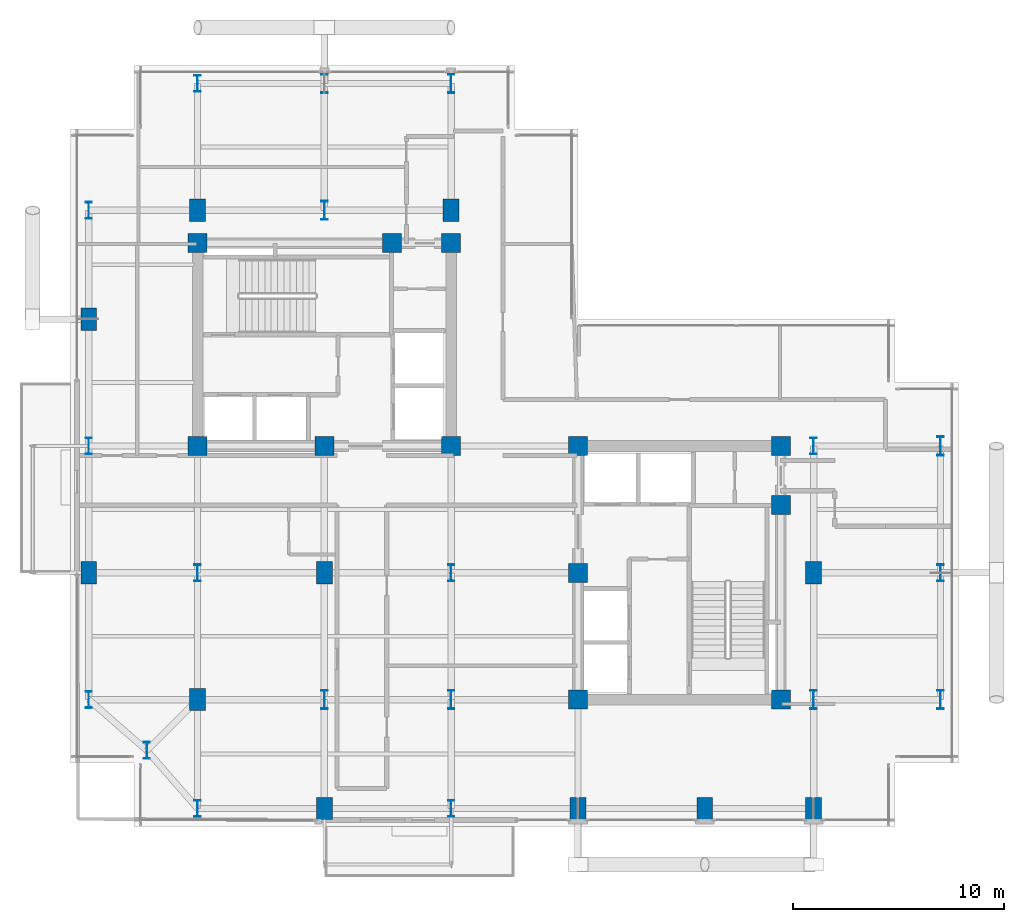
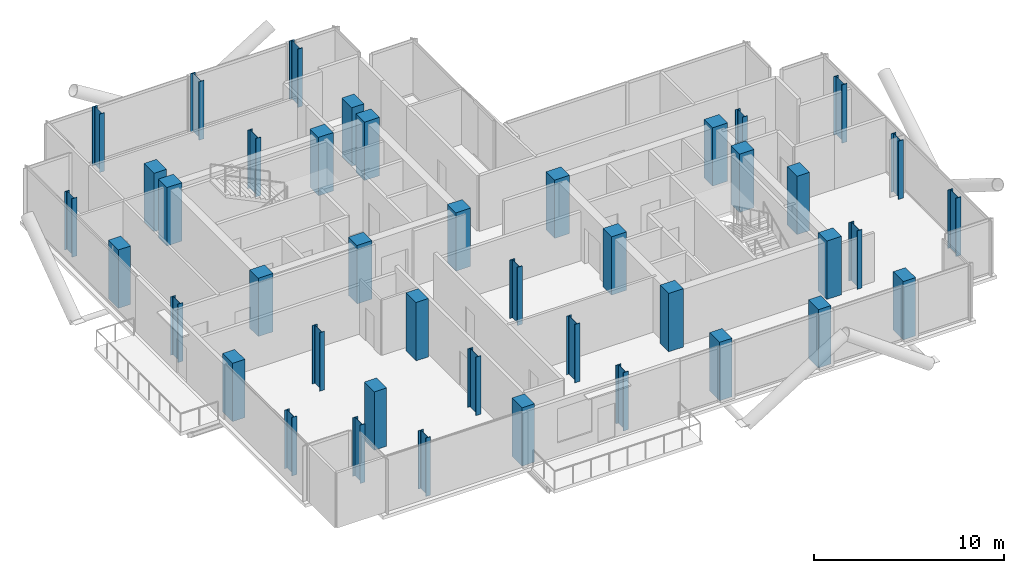
# One storey, part 1 of 21: 42 columns.
"""IFC4 building model written with IfcOpenShell, lengths in metres."""

from ifc_helpers import new_model, si_unit, direction, frame, origin, origin_2d, place, context, subcontext, project, spatial, rectangle, i_section, extrude, material, material_profile, profile_set, type_object, element, save


model = new_model("IFC4")

# Units and contexts
model_context = context("Model", 3, precision=1e-05, world=origin(), true_north=direction((0.0, 1.0)))
body_context = subcontext(model_context, "Body", "Model", "MODEL_VIEW")
ifc_project = project(units=[si_unit("LENGTHUNIT", "METRE"), si_unit("AREAUNIT", "SQUARE_METRE"), si_unit("VOLUMEUNIT", "CUBIC_METRE"), si_unit("PLANEANGLEUNIT", "RADIAN"), si_unit("MASSUNIT", "GRAM", prefix="KILO"), si_unit("THERMODYNAMICTEMPERATUREUNIT", "KELVIN"), si_unit("POWERUNIT", "WATT")], contexts=[model_context])

# Site, building, storey
site_placement = place(None, origin())
site = spatial("IfcSite", under=ifc_project, at=site_placement, CompositionType="ELEMENT")
building_placement = place(site_placement, origin())
building = spatial("IfcBuilding", under=site, at=building_placement, Name="Svarakhadi Broadcast Tower", CompositionType="ELEMENT")
storey_placement = place(building_placement, frame((0.0, 0.0, 223.64990234375)))
storey = spatial("IfcBuildingStorey", under=building, at=storey_placement, Name="L55", CompositionType="ELEMENT", Elevation=223.64990234375)

# Columns
ifc_material_1 = material(Name="Concrete C50/60 (IS 456 M60)", Category="concrete")
ifc_material_profile_1 = material_profile(ifc_material_1, rectangle(XDim=0.75, YDim=1.050048828125, at=origin_2d()), Name="RC 750x1050")
ifc_profile_set_1 = profile_set([ifc_material_profile_1], Name="Concrete C50/60 (IS 456 M60)")
column_type_1 = type_object("IfcColumnType", Name="Col_RC750", PredefinedType="COLUMN", material=ifc_profile_set_1)
for number, where, z_axis, x_axis, name in (
    (1, (0.85009765625, 12.0, 0.0), (0.0, 0.0, 1.0), (1.0, 0.0, 0.0), "L55 Column G04"),
    (2, (0.85009765625, 24.0, 0.0), (0.0, 0.0, 1.0), (1.0, 0.0, 0.0), "L55 Column G06"),
    (3, (6.0, 6.0, 0.0), (0.0, 0.0, 1.0), (1.0, 0.0, 0.0), "L55 Column G12"),
    (4, (6.0, 29.14990234375, 0.0), (0.0, 0.0, 1.0), (1.0, 0.0, 0.0), "L55 Column G14"),
    (5, (12.0, 0.85009765625, 0.0), (0.0, 0.0, 1.0), (1.0, 0.0, 0.0), "L55 Column G18"),
    (6, (12.0, 12.0, 0.0), (0.0, 0.0, 1.0), (1.0, 0.0, 0.0), "L55 Column G20"),
    (7, (18.0, 29.14990234375, 0.0), (0.0, 0.0, 1.0), (1.0, 0.0, 0.0), "L55 Column G28"),
    (8, (24.0, 0.85009765625, 0.0), (0.0, 0.0, 1.0), (1.0, 0.0, 0.0), "L55 Column G32"),
    (9, (30.0, 0.85009765625, 0.0), (0.0, 0.0, 1.0), (1.0, 0.0, 0.0), "L55 Column G36"),
    (10, (35.14990234375, 0.85009765625, 0.0), (0.0, 0.0, 1.0), (1.0, 0.0, 0.0), "L55 Column G38"),
    (11, (35.14990234375, 12.0, 0.0), (0.0, 0.0, 1.0), (1.0, 0.0, 0.0), "L55 Column G40"),
):
    element("IfcColumn", number, at=place(storey_placement, frame(where, z_axis=z_axis, x_axis=x_axis)), inside=storey, type_object=column_type_1, Name=name, PredefinedType="COLUMN", context=body_context, shape_type="SweptSolid", body=[
        extrude(rectangle(XDim=0.75, YDim=1.050048828125, at=origin_2d()), origin(), (0.0, 0.0, 1.0), 3.75),
    ])
ifc_material_profile_2 = material_profile(ifc_material_1, rectangle(XDim=0.89990234375, YDim=0.89990234375, at=origin_2d()), Name="RC 900x900")
ifc_profile_set_2 = profile_set([ifc_material_profile_2], Name="Concrete C50/60 (IS 456 M60)")
column_type_2 = type_object("IfcColumnType", Name="Col_RC900", PredefinedType="COLUMN", material=ifc_profile_set_2)
for number, where, z_axis, x_axis, name in (
    (12, (6.0, 18.0, 0.0), (0.0, 0.0, 1.0), (1.0, 0.0, 0.0), "L55 Column CW1"),
    (13, (12.0, 18.0, 0.0), (0.0, 0.0, 1.0), (1.0, 0.0, 0.0), "L55 Column CW2"),
    (14, (18.0, 18.0, 0.0), (0.0, 0.0, 1.0), (1.0, 0.0, 0.0), "L55 Column CW3"),
    (15, (6.0, 27.60009765625, 0.0), (0.0, 0.0, 1.0), (1.0, 0.0, 0.0), "L55 Column CW4"),
    (16, (15.199951171875, 27.60009765625, 0.0), (0.0, 0.0, 1.0), (1.0, 0.0, 0.0), "L55 Column CW5"),
    (17, (18.0, 27.60009765625, 0.0), (0.0, 0.0, 1.0), (1.0, 0.0, 0.0), "L55 Column CW6"),
    (18, (24.0, 6.0, 0.0), (0.0, 0.0, 1.0), (1.0, 0.0, 0.0), "L55 Column CE1"),
    (19, (24.0, 12.0, 0.0), (0.0, 0.0, 1.0), (1.0, 0.0, 0.0), "L55 Column CE2"),
    (20, (24.0, 18.0, 0.0), (0.0, 0.0, 1.0), (1.0, 0.0, 0.0), "L55 Column CE3"),
    (21, (33.60009765625, 6.0, 0.0), (0.0, 0.0, 1.0), (1.0, 0.0, 0.0), "L55 Column CE4"),
    (22, (33.60009765625, 15.199951171875, 0.0), (0.0, 0.0, 1.0), (1.0, 0.0, 0.0), "L55 Column CE5"),
    (23, (33.60009765625, 18.0, 0.0), (0.0, 0.0, 1.0), (1.0, 0.0, 0.0), "L55 Column CE6"),
):
    element("IfcColumn", number, at=place(storey_placement, frame(where, z_axis=z_axis, x_axis=x_axis)), inside=storey, type_object=column_type_2, Name=name, PredefinedType="COLUMN", context=body_context, shape_type="SweptSolid", body=[
        extrude(rectangle(XDim=0.89990234375, YDim=0.89990234375, at=origin_2d()), origin(), (0.0, 0.0, 1.0), 3.75),
    ])
ifc_material_2 = material(Name="Steel S460ML (IS 2062 E450BR)", Category="steel")
ifc_material_profile_3 = material_profile(ifc_material_2, i_section(OverallWidth=0.300048828125, OverallDepth=0.800048828125, WebThickness=0.017578125, FlangeThickness=0.032958984375, FilletRadius=0.030029296875, at=origin_2d()), Name="WPB 800x300x262")
ifc_profile_set_3 = profile_set([ifc_material_profile_3], Name="Steel S460ML (IS 2062 E450BR)")
column_type_3 = type_object("IfcColumnType", Name="Col_WPB800", PredefinedType="COLUMN", material=ifc_profile_set_3)
for number, where, z_axis, x_axis, name in (
    (24, (3.60009765625, 3.60009765625, 0.0), (0.0, 0.0, 1.0), (1.0, 0.0, 0.0), "L55 Column G01"),
    (25, (0.85009765625, 6.0, 0.0), (0.0, 0.0, 1.0), (1.0, 0.0, 0.0), "L55 Column G03"),
    (26, (0.85009765625, 18.0, 0.0), (0.0, 0.0, 1.0), (1.0, 0.0, 0.0), "L55 Column G05"),
    (27, (0.85009765625, 29.14990234375, 0.0), (0.0, 0.0, 1.0), (1.0, 0.0, 0.0), "L55 Column G07"),
    (28, (6.0, 0.85009765625, 0.0), (0.0, 0.0, 1.0), (1.0, 0.0, 0.0), "L55 Column G11"),
    (29, (6.0, 12.0, 0.0), (0.0, 0.0, 1.0), (1.0, 0.0, 0.0), "L55 Column G13"),
    (30, (6.0, 35.14990234375, 0.0), (0.0, 0.0, 1.0), (1.0, 0.0, 0.0), "L55 Column G15"),
    (31, (18.0, 0.85009765625, 0.0), (0.0, 0.0, 1.0), (1.0, 0.0, 0.0), "L55 Column G25"),
    (32, (18.0, 12.0, 0.0), (0.0, 0.0, 1.0), (1.0, 0.0, 0.0), "L55 Column G27"),
    (33, (35.14990234375, 18.0, 0.0), (0.0, 0.0, 1.0), (1.0, 0.0, 0.0), "L55 Column G41"),
    (34, (41.14990234375, 12.0, 0.0), (0.0, 0.0, 1.0), (1.0, 0.0, 0.0), "L55 Column G45"),
):
    element("IfcColumn", number, at=place(storey_placement, frame(where, z_axis=z_axis, x_axis=x_axis)), inside=storey, type_object=column_type_3, Name=name, PredefinedType="COLUMN", context=body_context, shape_type="SweptSolid", body=[
        extrude(i_section(OverallWidth=0.300048828125, OverallDepth=0.800048828125, WebThickness=0.017578125, FlangeThickness=0.032958984375, FilletRadius=0.030029296875, at=origin_2d()), origin(), (0.0, 0.0, 1.0), 3.75),
    ])
ifc_material_profile_4 = material_profile(ifc_material_2, i_section(OverallWidth=0.300048828125, OverallDepth=0.89990234375, WebThickness=0.0185546875, FlangeThickness=0.034912109375, FilletRadius=0.030029296875, at=origin_2d()), Name="WPB 900x300x291")
ifc_profile_set_4 = profile_set([ifc_material_profile_4], Name="Steel S460ML (IS 2062 E450BR)")
column_type_4 = type_object("IfcColumnType", Name="Col_WPB900", PredefinedType="COLUMN", material=ifc_profile_set_4)
for number, where, z_axis, x_axis, name in (
    (35, (12.0, 6.0, 0.0), (0.0, 0.0, 1.0), (1.0, 0.0, 0.0), "L55 Column G19"),
    (36, (12.0, 29.14990234375, 0.0), (0.0, 0.0, 1.0), (1.0, 0.0, 0.0), "L55 Column G21"),
    (37, (12.0, 35.14990234375, 0.0), (0.0, 0.0, 1.0), (1.0, 0.0, 0.0), "L55 Column G22"),
    (38, (18.0, 6.0, 0.0), (0.0, 0.0, 1.0), (1.0, 0.0, 0.0), "L55 Column G26"),
    (39, (18.0, 35.14990234375, 0.0), (0.0, 0.0, 1.0), (1.0, 0.0, 0.0), "L55 Column G29"),
    (40, (35.14990234375, 6.0, 0.0), (0.0, 0.0, 1.0), (1.0, 0.0, 0.0), "L55 Column G39"),
    (41, (41.14990234375, 6.0, 0.0), (0.0, 0.0, 1.0), (1.0, 0.0, 0.0), "L55 Column G44"),
    (42, (41.14990234375, 18.0, 0.0), (0.0, 0.0, 1.0), (1.0, 0.0, 0.0), "L55 Column G46"),
):
    element("IfcColumn", number, at=place(storey_placement, frame(where, z_axis=z_axis, x_axis=x_axis)), inside=storey, type_object=column_type_4, Name=name, PredefinedType="COLUMN", context=body_context, shape_type="SweptSolid", body=[
        extrude(i_section(OverallWidth=0.300048828125, OverallDepth=0.89990234375, WebThickness=0.0185546875, FlangeThickness=0.034912109375, FilletRadius=0.030029296875, at=origin_2d()), origin(), (0.0, 0.0, 1.0), 3.75),
    ])

save(model, "model.ifc")
